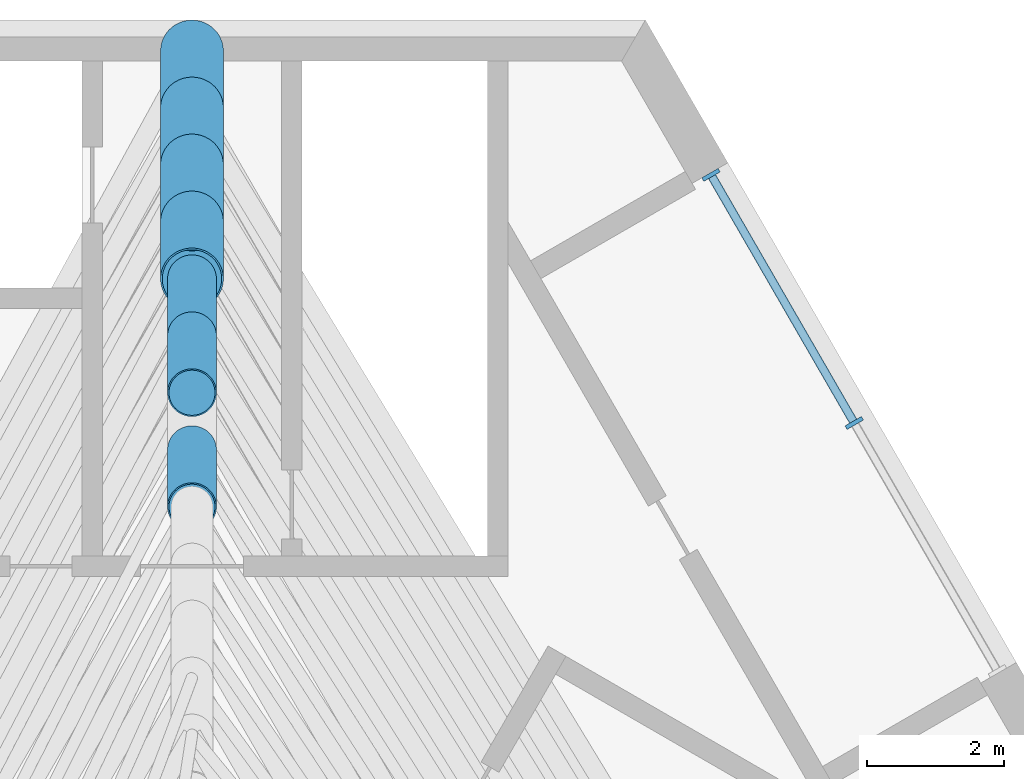
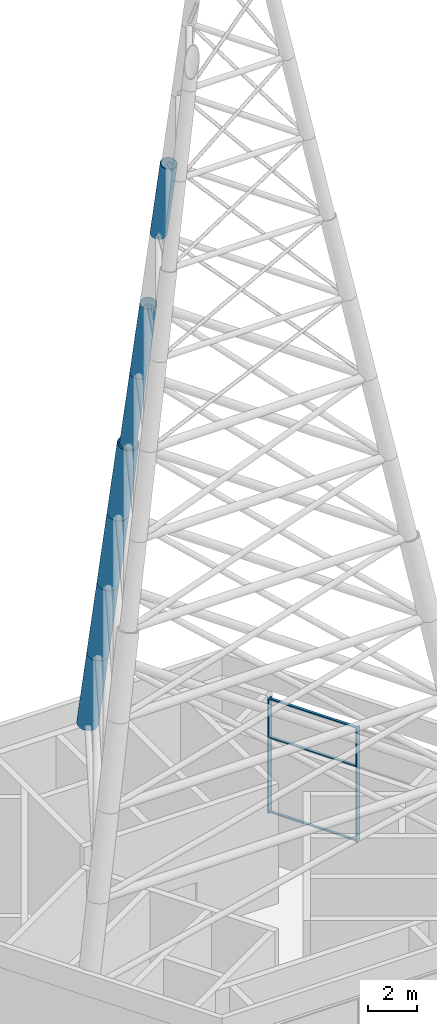
# One storey, part 7 of 10: 12 members, 1 element without a shape of its own.
"""IFC4 building model written with IfcOpenShell, lengths in metres."""

from ifc_helpers import new_model, si_unit, direction, frame, origin, origin_2d, place, context, subcontext, project, spatial, rectangle, hollow_circle, extrude, material, material_profile, profile_set, type_object, element, aggregate, save


model = new_model("IFC4")

# Units and contexts
model_context = context("Model", 3, precision=1e-05, world=origin(), true_north=direction((0.0, 1.0)))
body_context = subcontext(model_context, "Body", "Model", "MODEL_VIEW")
ifc_project = project(units=[si_unit("LENGTHUNIT", "METRE"), si_unit("AREAUNIT", "SQUARE_METRE"), si_unit("VOLUMEUNIT", "CUBIC_METRE"), si_unit("PLANEANGLEUNIT", "RADIAN"), si_unit("MASSUNIT", "GRAM", prefix="KILO")], contexts=[model_context])

# Site, building, storey
site_placement = place(None, origin())
site = spatial("IfcSite", under=ifc_project, at=site_placement, CompositionType="ELEMENT")
building_placement = place(site_placement, origin())
building = spatial("IfcBuilding", under=site, at=building_placement, Name="Impinga Residences", CompositionType="ELEMENT")
storey_placement = place(building_placement, frame((0.0, 0.0, 301.75)))
storey = spatial("IfcBuildingStorey", under=building, at=storey_placement, Name="L75", CompositionType="ELEMENT", Elevation=301.75)

# Curtain wall, members
ifc_material_1 = material(Name="Aluminium stick curtain wall", Category="aluminium")
curtain_wall_type = type_object("IfcCurtainWallType", Name="CW4 plant floor louvred curtain wall", PredefinedType="USERDEFINED", material=ifc_material_1)
curtain_wall_placement = place(storey_placement, origin())
curtain_wall = element("IfcCurtainWall", 1, at=curtain_wall_placement, inside=storey, type_object=curtain_wall_type, Name="Curtain wall CW4 L75", ObjectType="STICK CURTAIN WALL", PredefinedType="USERDEFINED")
ifc_material_2 = material(Name="Aluminium mullion", Category="aluminium")
ifc_material_profile_1 = material_profile(ifc_material_2, rectangle(XDim=0.06005859375, YDim=0.27490234375, at=origin_2d()), Name="60x275 mullion")
ifc_profile_set_1 = profile_set([ifc_material_profile_1], Name="Aluminium mullion")
member_type_1 = type_object("IfcMemberType", Name="CW4-M mullion 60x275", PredefinedType="MULLION", material=ifc_profile_set_1)
member_1_placement = place(storey_placement, frame((9.64013671875, 5.565673828125, 0.0), z_axis=(0.0, 0.0, 1.0), x_axis=(-0.500000020194, 0.866025392126, 0.0)))
member_1 = element("IfcMember", 2, at=member_1_placement, type_object=member_type_1, Name="CW4 mullion 2", PredefinedType="MULLION", context=body_context, shape_type="SweptSolid", body=[
    extrude(rectangle(XDim=0.06005859375, YDim=0.27490234375, at=origin_2d()), origin(), (0.0, 0.0, 1.0), 5.699951171875),
])
member_2_placement = place(storey_placement, frame((7.55517578125, 9.177001953125, 0.0), z_axis=(0.0, 0.0, 1.0), x_axis=(-0.500000020194, 0.866025392126, 0.0)))
member_2 = element("IfcMember", 3, at=member_2_placement, type_object=member_type_1, Name="CW4 mullion 3", PredefinedType="MULLION", context=body_context, shape_type="SweptSolid", body=[
    extrude(rectangle(XDim=0.06005859375, YDim=0.27490234375, at=origin_2d()), origin(), (0.0, 0.0, 1.0), 5.699951171875),
])
ifc_material_3 = material(Name="Aluminium transom", Category="aluminium")
ifc_material_profile_2 = material_profile(ifc_material_3, rectangle(XDim=0.06005859375, YDim=0.1201171875, at=origin_2d()), Name="60x120 transom")
ifc_profile_set_2 = profile_set([ifc_material_profile_2], Name="Aluminium transom")
member_type_2 = type_object("IfcMemberType", Name="CW4-T transom 60x120", PredefinedType="USERDEFINED", material=ifc_profile_set_2)
member_3_placement = place(storey_placement, frame((9.625244140625, 5.591796875, 0.030029296875), z_axis=(-0.499991554064, 0.866030279993, 0.0), x_axis=(0.0, 0.0, 1.0)))
member_3 = element("IfcMember", 4, at=member_3_placement, type_object=member_type_2, Name="CW4 transom 2.1", ObjectType="TRANSOM", PredefinedType="USERDEFINED", context=body_context, shape_type="SweptSolid", body=[
    extrude(rectangle(XDim=0.06005859375, YDim=0.1201171875, at=origin_2d()), origin(), (0.0, 0.0, 1.0), 4.10986328125),
])
member_4_placement = place(storey_placement, frame((9.625244140625, 5.591796875, 3.75), z_axis=(-0.499991554064, 0.866030279993, 0.0), x_axis=(0.0, 0.0, 1.0)))
member_4 = element("IfcMember", 5, at=member_4_placement, type_object=member_type_2, Name="CW4 transom 2.2", ObjectType="TRANSOM", PredefinedType="USERDEFINED", context=body_context, shape_type="SweptSolid", body=[
    extrude(rectangle(XDim=0.06005859375, YDim=0.1201171875, at=origin_2d()), origin(), (0.0, 0.0, 1.0), 4.10986328125),
])
member_5_placement = place(storey_placement, frame((9.625244140625, 5.591796875, 5.669921875), z_axis=(-0.499991554064, 0.866030279993, 0.0), x_axis=(0.0, 0.0, 1.0)))
member_5 = element("IfcMember", 6, at=member_5_placement, type_object=member_type_2, Name="CW4 transom 2.3", ObjectType="TRANSOM", PredefinedType="USERDEFINED", context=body_context, shape_type="SweptSolid", body=[
    extrude(rectangle(XDim=0.06005859375, YDim=0.1201171875, at=origin_2d()), origin(), (0.0, 0.0, 1.0), 4.10986328125),
])
aggregate(curtain_wall, [member_1, member_2, member_3, member_4, member_5])

# Members
ifc_material_4 = material(Name="Steel S355J2H", Category="steel")
ifc_material_profile_3 = material_profile(ifc_material_4, hollow_circle(Radius=0.457275390625, WallThickness=0.02490234375, at=origin_2d()), Name="CHS 914.4x25")
ifc_profile_set_3 = profile_set([ifc_material_profile_3], Name="Steel S355J2H")
member_type_3 = type_object("IfcMemberType", Name="SP1 SPIRE CHS 914.4x25", PredefinedType="MEMBER", material=ifc_profile_set_3)
for number, where, z_axis, x_axis, name in (
    (7, (0.0, 10.9814453125, 6.0), (0.0, -0.203018619263, 0.979174877247), (1.0, 0.0, 0.0), "SPIRE leg N panel 1"),
    (8, (0.0, 10.152099609375, 10.0), (0.0, -0.203018619263, 0.979174877247), (1.0, 0.0, 0.0), "SPIRE leg N panel 2"),
    (9, (0.0, 9.32275390625, 14.0), (0.0, -0.203018619263, 0.979174877247), (1.0, 0.0, 0.0), "SPIRE leg N panel 3"),
    (10, (0.0, 8.493408203125, 18.0), (0.0, -0.203018619263, 0.979174877247), (1.0, 0.0, 0.0), "SPIRE leg N panel 4"),
):
    element("IfcMember", number, at=place(storey_placement, frame(where, z_axis=z_axis, x_axis=x_axis)), inside=storey, type_object=member_type_3, Name=name, PredefinedType="MEMBER", context=body_context, shape_type="SweptSolid", body=[
        extrude(hollow_circle(Radius=0.457275390625, WallThickness=0.02490234375, at=origin_2d()), origin(), (0.0, 0.0, 1.0), 4.0849609375),
    ])
ifc_material_profile_4 = material_profile(ifc_material_4, hollow_circle(Radius=0.35546875, WallThickness=0.02001953125, at=origin_2d()), Name="CHS 711x20")
ifc_profile_set_4 = profile_set([ifc_material_profile_4], Name="Steel S355J2H")
member_type_4 = type_object("IfcMemberType", Name="SP2 SPIRE CHS 711x20", PredefinedType="MEMBER", material=ifc_profile_set_4)
for number, where, z_axis, x_axis, name in (
    (11, (0.0, 7.6640625, 22.0), (0.0, -0.203018619263, 0.979174877247), (1.0, 0.0, 0.0), "SPIRE leg N panel 5"),
    (12, (0.0, 6.834716796875, 26.0), (0.0, -0.203018619263, 0.979174877247), (1.0, 0.0, 0.0), "SPIRE leg N panel 6"),
    (13, (0.0, 5.176025390625, 34.0), (0.0, -0.203018619263, 0.979174877247), (1.0, 0.0, 0.0), "SPIRE leg N panel 8"),
):
    element("IfcMember", number, at=place(storey_placement, frame(where, z_axis=z_axis, x_axis=x_axis)), inside=storey, type_object=member_type_4, Name=name, PredefinedType="MEMBER", context=body_context, shape_type="SweptSolid", body=[
        extrude(hollow_circle(Radius=0.35546875, WallThickness=0.02001953125, at=origin_2d()), origin(), (0.0, 0.0, 1.0), 4.0849609375),
    ])

save(model, "model.ifc")
